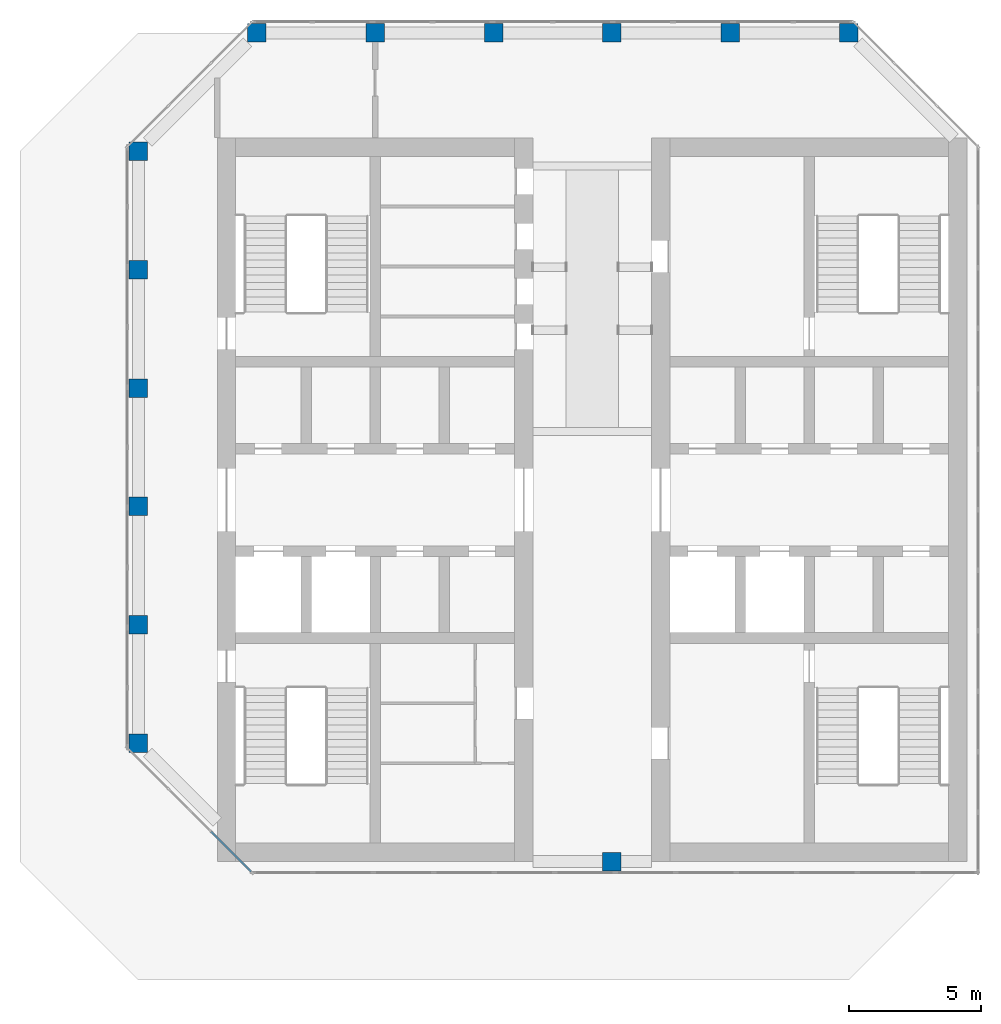
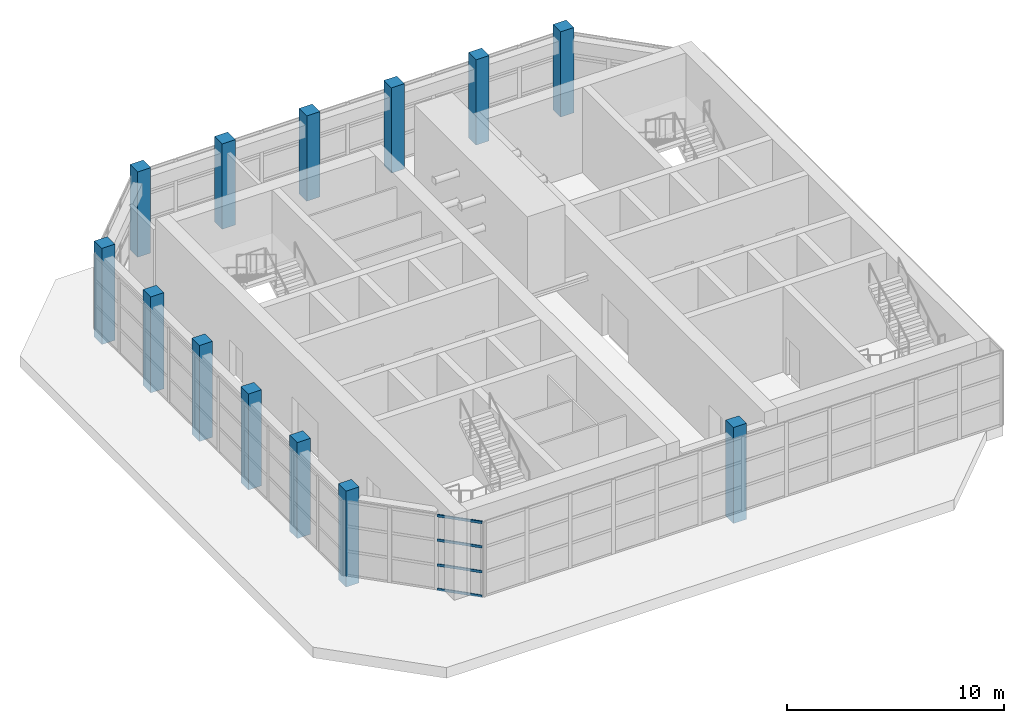
# One storey, part 1 of 13: 13 columns, 4 members, 1 element without a shape of its own.
"""IFC4 building model written with IfcOpenShell, lengths in metres."""

from ifc_helpers import new_model, si_unit, direction, frame, origin, origin_2d, place, context, subcontext, project, spatial, rectangle, extrude, material, material_profile, profile_set, type_object, element, aggregate, save


model = new_model("IFC4")

# Units and contexts
model_context = context("Model", 3, precision=1e-05, world=origin(), true_north=direction((0.0, 1.0)))
body_context = subcontext(model_context, "Body", "Model", "MODEL_VIEW")
ifc_project = project(units=[si_unit("LENGTHUNIT", "METRE"), si_unit("AREAUNIT", "SQUARE_METRE"), si_unit("VOLUMEUNIT", "CUBIC_METRE"), si_unit("PLANEANGLEUNIT", "RADIAN"), si_unit("MASSUNIT", "GRAM", prefix="KILO")], contexts=[model_context])

# Site, building, storey
site_placement = place(None, origin())
site = spatial("IfcSite", under=ifc_project, at=site_placement, CompositionType="ELEMENT")
building_placement = place(site_placement, origin())
building = spatial("IfcBuilding", under=site, at=building_placement, Name="Corbel Stack Research Tower", CompositionType="ELEMENT")
storey_placement = place(building_placement, frame((0.0, 0.0, 311.800048828125)))
storey = spatial("IfcBuildingStorey", under=building, at=storey_placement, Name="L70", CompositionType="ELEMENT", Elevation=311.800048828125)

# Columns
ifc_material_1 = material(Name="Concrete C60/75", Category="concrete")
ifc_material_profile_1 = material_profile(ifc_material_1, rectangle(XDim=0.699951171875, YDim=0.699951171875, at=origin_2d()), Name="RC 700 x 700")
ifc_profile_set_1 = profile_set([ifc_material_profile_1], Name="Concrete C60/75")
column_type = type_object("IfcColumnType", Name="C-700-60", PredefinedType="COLUMN", material=ifc_profile_set_1)
for number, where, z_axis, x_axis, name in (
    (1, (-13.5, -4.5, -0.60009765625), (0.0, 0.0, 1.0), (1.0, 0.0, 0.0), "Column 5/G L70"),
    (2, (-13.5, 0.0, -0.60009765625), (0.0, 0.0, 1.0), (1.0, 0.0, 0.0), "Column 5/H L70"),
    (3, (-13.5, 4.5, -0.60009765625), (0.0, 0.0, 1.0), (1.0, 0.0, 0.0), "Column 5/J L70"),
    (4, (-13.5, 9.0, -0.60009765625), (0.0, 0.0, 1.0), (1.0, 0.0, 0.0), "Column 5/K L70"),
    (5, (-13.5, 13.5, -0.60009765625), (0.0, 0.0, 1.0), (1.0, 0.0, 0.0), "Column 5/L L70"),
    (6, (-13.5, 18.0, -0.60009765625), (0.0, 0.0, 1.0), (1.0, 0.0, 0.0), "Column 5/M L70"),
):
    element("IfcColumn", number, at=place(storey_placement, frame(where, z_axis=z_axis, x_axis=x_axis)), inside=storey, type_object=column_type, Name=name, PredefinedType="COLUMN", context=body_context, shape_type="SweptSolid", body=[
        extrude(rectangle(XDim=0.699951171875, YDim=0.699951171875, at=origin_2d()), origin(), (0.0, 0.0, 1.0), 5.400146484375),
    ])
for number, where, z_axis, x_axis, name in (
    (7, (-9.0, 22.5, 0.0), (0.0, 0.0, 1.0), (1.0, 0.0, 0.0), "Column 6/N L70"),
    (8, (-4.5, 22.5, 0.0), (0.0, 0.0, 1.0), (1.0, 0.0, 0.0), "Column 7/N L70"),
    (9, (0.0, 22.5, 0.0), (0.0, 0.0, 1.0), (1.0, 0.0, 0.0), "Column 8/N L70"),
):
    element("IfcColumn", number, at=place(storey_placement, frame(where, z_axis=z_axis, x_axis=x_axis)), inside=storey, type_object=column_type, Name=name, PredefinedType="COLUMN", context=body_context, shape_type="SweptSolid", body=[
        extrude(rectangle(XDim=0.699951171875, YDim=0.699951171875, at=origin_2d()), origin(), (0.0, 0.0, 1.0), 4.800048828125),
    ])
column_placement = place(storey_placement, frame((4.5, -9.0, -0.60009765625), z_axis=(0.0, 0.0, 1.0), x_axis=(1.0, 0.0, 0.0)))
element("IfcColumn", 10, at=column_placement, inside=storey, type_object=column_type, Name="Column 9/F L70", PredefinedType="COLUMN", context=body_context, shape_type="SweptSolid", body=[
    extrude(rectangle(XDim=0.699951171875, YDim=0.699951171875, at=origin_2d()), origin(), (0.0, 0.0, 1.0), 5.400146484375),
])
for number, where, z_axis, x_axis, name in (
    (11, (4.5, 22.5, 0.0), (0.0, 0.0, 1.0), (1.0, 0.0, 0.0), "Column 9/N L70"),
    (12, (9.0, 22.5, 0.0), (0.0, 0.0, 1.0), (1.0, 0.0, 0.0), "Column 10/N L70"),
    (13, (13.5, 22.5, 0.0), (0.0, 0.0, 1.0), (1.0, 0.0, 0.0), "Column 11/N L70"),
):
    element("IfcColumn", number, at=place(storey_placement, frame(where, z_axis=z_axis, x_axis=x_axis)), inside=storey, type_object=column_type, Name=name, PredefinedType="COLUMN", context=body_context, shape_type="SweptSolid", body=[
        extrude(rectangle(XDim=0.699951171875, YDim=0.699951171875, at=origin_2d()), origin(), (0.0, 0.0, 1.0), 4.800048828125),
    ])

# Curtain wall, members
ifc_material_2 = material(Name="Aluminium and glass", Category="aluminium")
curtain_wall_type = type_object("IfcCurtainWallType", Name="CW4C damper hall glazing wall, corner", PredefinedType="NOTDEFINED", material=ifc_material_2)
curtain_wall_placement = place(storey_placement, origin())
curtain_wall = element("IfcCurtainWall", 14, at=curtain_wall_placement, inside=storey, type_object=curtain_wall_type, Name="Damper hall curtain wall L70 1", PredefinedType="NOTDEFINED")
ifc_material_3 = material(Name="Aluminium, anodised", Category="aluminium")
ifc_material_profile_2 = material_profile(ifc_material_3, rectangle(XDim=0.06005859375, YDim=0.139892578125, at=origin_2d()), Name="CW4 transom 60 x 140")
ifc_profile_set_2 = profile_set([ifc_material_profile_2], Name="Aluminium, anodised")
member_type = type_object("IfcMemberType", Name="CW4 transom 60 x 140", PredefinedType="USERDEFINED", material=ifc_profile_set_2)
member_1_placement = place(storey_placement, frame((-9.21630859375, -9.377685546875, 0.030029296875), z_axis=(-0.707106781187, 0.707106781187, 0.0), x_axis=(-0.707106781187, -0.707106781187, 0.0)))
member_1 = element("IfcMember", 15, at=member_1_placement, type_object=member_type, Name="CW4C transom 1.1", ObjectType="TRANSOM", PredefinedType="USERDEFINED", context=body_context, shape_type="SweptSolid", body=[
    extrude(rectangle(XDim=0.06005859375, YDim=0.139892578125, at=origin_2d()), origin(), (0.0, 0.0, 1.0), 2.1474609375),
])
member_2_placement = place(storey_placement, frame((-9.21630859375, -9.377685546875, 1.39990234375), z_axis=(-0.707106781187, 0.707106781187, 0.0), x_axis=(-0.707106781187, -0.707106781187, 0.0)))
member_2 = element("IfcMember", 16, at=member_2_placement, type_object=member_type, Name="CW4C transom 1.2", ObjectType="TRANSOM", PredefinedType="USERDEFINED", context=body_context, shape_type="SweptSolid", body=[
    extrude(rectangle(XDim=0.06005859375, YDim=0.139892578125, at=origin_2d()), origin(), (0.0, 0.0, 1.0), 2.1474609375),
])
member_3_placement = place(storey_placement, frame((-9.21630859375, -9.377685546875, 2.800048828125), z_axis=(-0.707106781187, 0.707106781187, 0.0), x_axis=(-0.707106781187, -0.707106781187, 0.0)))
member_3 = element("IfcMember", 17, at=member_3_placement, type_object=member_type, Name="CW4C transom 1.3", ObjectType="TRANSOM", PredefinedType="USERDEFINED", context=body_context, shape_type="SweptSolid", body=[
    extrude(rectangle(XDim=0.06005859375, YDim=0.139892578125, at=origin_2d()), origin(), (0.0, 0.0, 1.0), 2.1474609375),
])
member_4_placement = place(storey_placement, frame((-9.21630859375, -9.377685546875, 4.169921875), z_axis=(-0.707106781187, 0.707106781187, 0.0), x_axis=(-0.707106781187, -0.707106781187, 0.0)))
member_4 = element("IfcMember", 18, at=member_4_placement, type_object=member_type, Name="CW4C transom 1.4", ObjectType="TRANSOM", PredefinedType="USERDEFINED", context=body_context, shape_type="SweptSolid", body=[
    extrude(rectangle(XDim=0.06005859375, YDim=0.139892578125, at=origin_2d()), origin(), (0.0, 0.0, 1.0), 2.1474609375),
])
aggregate(curtain_wall, [member_1, member_2, member_3, member_4])

save(model, "model.ifc")
